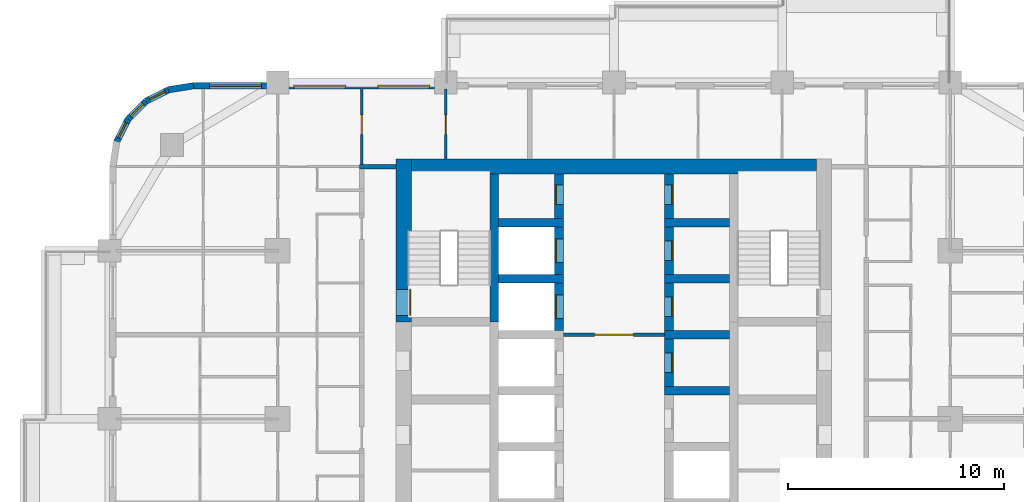
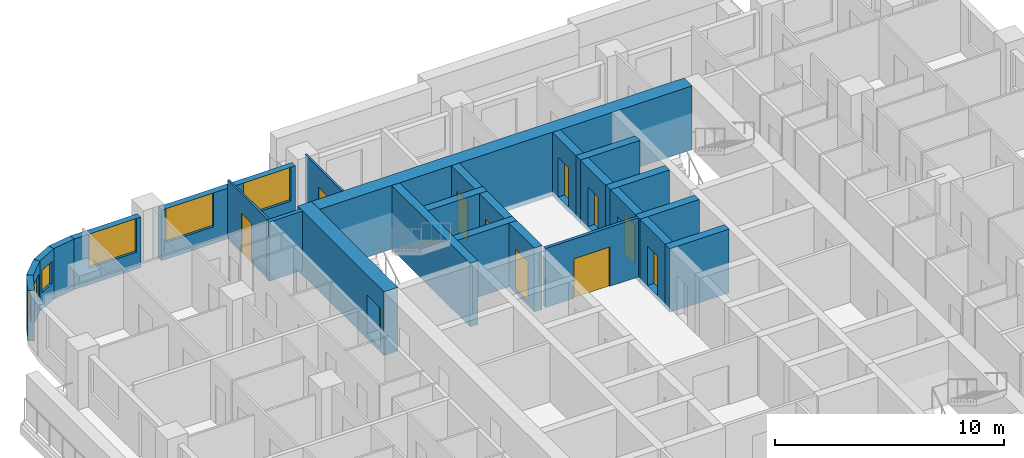
# One storey, part 11 of 17: 26 walls, 11 doors, 6 windows, 17 openings.
"""IFC4 building model written with IfcOpenShell, lengths in metres."""

from ifc_helpers import new_model, si_unit, direction, frame, frame_2d, origin, place, context, subcontext, project, spatial, rectangle, extrude, material, layer, layer_set, type_object, element, fill, save


model = new_model("IFC4")

# Units and contexts
model_context = context("Model", 3, precision=1e-05, world=origin(), true_north=direction((0.0, 1.0)))
body_context = subcontext(model_context, "Body", "Model", "MODEL_VIEW")
ifc_project = project(units=[si_unit("LENGTHUNIT", "METRE"), si_unit("AREAUNIT", "SQUARE_METRE"), si_unit("VOLUMEUNIT", "CUBIC_METRE"), si_unit("PLANEANGLEUNIT", "RADIAN"), si_unit("MASSUNIT", "GRAM", prefix="KILO")], contexts=[model_context])

# Site, building, storey
site_placement = place(None, origin())
site = spatial("IfcSite", under=ifc_project, at=site_placement, CompositionType="ELEMENT")
building_placement = place(site_placement, origin())
building = spatial("IfcBuilding", under=site, at=building_placement, Name="Ludao Terraces", CompositionType="ELEMENT")
storey_placement = place(building_placement, frame((0.0, 0.0, 39.89990234375)))
storey = spatial("IfcBuildingStorey", under=building, at=storey_placement, Name="L10", CompositionType="ELEMENT", Elevation=39.89990234375)

# Wall, opening, door
ifc_material_1 = material(Name="Concrete C70", Category="concrete")
ifc_layer_1 = layer(ifc_material_1, 0.699951171875)
ifc_layer_set_1 = layer_set([ifc_layer_1], Name="Core wall 700 C70")
wall_type_1 = type_object("IfcWallType", Name="Core wall 700 C70", PredefinedType="SOLIDWALL", material=ifc_layer_set_1)
wall_1_placement = place(storey_placement, frame((75.25, 77.300048828125, -0.25), z_axis=(0.0, 0.0, 1.0), x_axis=(0.0, 1.0, 0.0)))
wall_1 = element("IfcWall", 1, at=wall_1_placement, inside=storey, type_object=wall_type_1, Name="Core wall L10 outer-W-S1", PredefinedType="SOLIDWALL", context=body_context, shape_type="SweptSolid", body=[
    extrude(rectangle(XDim=7.550048828125, YDim=0.699951171875, at=frame_2d((3.77490234375, 0.0))), origin(), (0.0, 0.0, 1.0), 3.400146484375),
])
opening_1_placement = place(wall_1_placement, frame((0.300048828125, 0.0, 0.25)))
opening_1 = element("IfcOpeningElement", 2, at=opening_1_placement, cuts=wall_1, Name="Opening R03-133", PredefinedType="OPENING", context=body_context, shape_type="SweptSolid", body=[
    extrude(rectangle(XDim=1.199951171875, YDim=2.10009765625, at=frame_2d((0.60009765625, 1.050048828125))), frame((0.0, 0.35986328125, 0.0), z_axis=(0.0, -1.0, 0.0), x_axis=(1.0, 0.0, 0.0)), (0.0, 0.0, 1.0), 0.719970703125),
])
ifc_material_2 = material(Name="Steel Q235", Category="steel")
door_type_1 = type_object("IfcDoorType", Name="INT Stair door 1200", OperationType="DOUBLE_DOOR_SINGLE_SWING", PredefinedType="DOOR", material=ifc_material_2)
door_1_placement = place(opening_1_placement, origin())
door_1 = element("IfcDoor", 3, at=door_1_placement, inside=storey, type_object=door_type_1, Name="DOOR 133", OperationType="DOUBLE_DOOR_SINGLE_SWING", OverallHeight=2.10009765625, OverallWidth=1.199951171875, PredefinedType="DOOR", context=body_context, shape_type="SweptSolid", body=[
    extrude(rectangle(XDim=1.199951171875, YDim=2.10009765625, at=frame_2d((0.60009765625, 1.050048828125))), frame((0.0, -0.28515625, 0.0), z_axis=(0.0, -1.0, 0.0), x_axis=(1.0, 0.0, 0.0)), (0.0, 0.0, 1.0), 0.050048828125),
])
fill(opening_1, door_1)

# Wall
wall_2_placement = place(storey_placement, frame((75.60009765625, 84.5, -0.25), z_axis=(0.0, 0.0, 1.0), x_axis=(1.0, 0.0, 0.0)))
element("IfcWall", 4, at=wall_2_placement, inside=storey, type_object=wall_type_1, Name="Core wall L10 outer-N", PredefinedType="SOLIDWALL", context=body_context, shape_type="SweptSolid", body=[
    extrude(rectangle(XDim=18.7998046875, YDim=0.699951171875, at=frame_2d((9.39990234375, 0.0))), origin(), (0.0, 0.0, 1.0), 3.400146484375),
])

# Wall, opening, window
ifc_material_3 = material(Name="Granite cladding", Category="masonry")
ifc_layer_2 = layer(ifc_material_3, 0.0400390625, Category="stone")
ifc_material_4 = material(Name="Mineral wool")
ifc_layer_3 = layer(ifc_material_4, 0.06005859375)
ifc_material_5 = material(Name="Concrete C40", Category="concrete")
ifc_layer_4 = layer(ifc_material_5, 0.199951171875, Category="concrete")
ifc_layer_set_2 = layer_set([ifc_layer_2, ifc_layer_3, ifc_layer_4], Name="ENV Stone-clad wall 300")
wall_type_2 = type_object("IfcWallType", Name="ENV Stone-clad wall 300", PredefinedType="SOLIDWALL", material=ifc_layer_set_2)
wall_3_placement = place(storey_placement, frame((65.5, 88.25, 0.0), z_axis=(0.0, 0.0, 1.0), x_axis=(1.0, 0.0, 0.0)))
wall_3 = element("IfcWall", 5, at=wall_3_placement, inside=storey, type_object=wall_type_2, Name="EW-L10-N1", PredefinedType="SOLIDWALL", context=body_context, shape_type="SweptSolid", body=[
    extrude(rectangle(XDim=3.375, YDim=0.300048828125, at=frame_2d((1.6875, 0.0))), origin(), (0.0, 0.0, 1.0), 2.7001953125),
])
opening_2_placement = place(wall_3_placement, frame((0.75, 0.0, 0.89990234375)))
opening_2 = element("IfcOpeningElement", 6, at=opening_2_placement, cuts=wall_3, Name="Opening W1", PredefinedType="OPENING", context=body_context, shape_type="SweptSolid", body=[
    extrude(rectangle(XDim=2.39990234375, YDim=1.800048828125, at=frame_2d((1.199951171875, 0.89990234375))), frame((0.0, 0.16015625, 0.0), z_axis=(0.0, -1.0, 0.0), x_axis=(1.0, 0.0, 0.0)), (0.0, 0.0, 1.0), 0.320068359375),
])
ifc_material_6 = material(Name="Clear glass in aluminium frame", Category="aluminium")
ifc_layer_5 = layer(ifc_material_6, 0.06005859375)
ifc_layer_set_3 = layer_set([ifc_layer_5], Name="ENV Window W1 2400x1800")
window_type_1 = type_object("IfcWindowType", Name="ENV Window W1 2400x1800", PartitioningType="DOUBLE_PANEL_VERTICAL", PredefinedType="WINDOW", material=ifc_layer_set_3)
window_1_placement = place(opening_2_placement, origin())
window_1 = element("IfcWindow", 7, at=window_1_placement, inside=storey, type_object=window_type_1, Name="W-L10-N1-1", OverallHeight=1.800048828125, OverallWidth=2.39990234375, PartitioningType="DOUBLE_PANEL_VERTICAL", PredefinedType="WINDOW", context=body_context, shape_type="SweptSolid", body=[
    extrude(rectangle(XDim=2.39990234375, YDim=1.800048828125, at=frame_2d((1.199951171875, 0.89990234375))), frame((0.0, 0.030029296875, 0.0), z_axis=(0.0, -1.0, 0.0), x_axis=(1.0, 0.0, 0.0)), (0.0, 0.0, 1.0), 0.06005859375),
])
fill(opening_2, window_1)

# Wall, openings, windows
wall_4_placement = place(storey_placement, frame((69.925048828125, 88.25, 0.0), z_axis=(0.0, 0.0, 1.0), x_axis=(1.0, 0.0, 0.0)))
wall_4 = element("IfcWall", 8, at=wall_4_placement, inside=storey, type_object=wall_type_2, Name="EW-L10-N2", PredefinedType="SOLIDWALL", context=body_context, shape_type="SweptSolid", body=[
    extrude(rectangle(XDim=6.75, YDim=0.300048828125, at=frame_2d((3.375, 0.0))), origin(), (0.0, 0.0, 1.0), 2.7001953125),
])
opening_3_placement = place(wall_4_placement, frame((0.22509765625, 0.0, 0.89990234375)))
opening_3 = element("IfcOpeningElement", 9, at=opening_3_placement, cuts=wall_4, Name="Opening W1", PredefinedType="OPENING", context=body_context, shape_type="SweptSolid", body=[
    extrude(rectangle(XDim=2.39990234375, YDim=1.800048828125, at=frame_2d((1.199951171875, 0.89990234375))), frame((0.0, 0.16015625, 0.0), z_axis=(0.0, -1.0, 0.0), x_axis=(1.0, 0.0, 0.0)), (0.0, 0.0, 1.0), 0.320068359375),
])
opening_4_placement = place(wall_4_placement, frame((4.125, 0.0, 0.89990234375)))
opening_4 = element("IfcOpeningElement", 10, at=opening_4_placement, cuts=wall_4, Name="Opening W1", PredefinedType="OPENING", context=body_context, shape_type="SweptSolid", body=[
    extrude(rectangle(XDim=2.39990234375, YDim=1.800048828125, at=frame_2d((1.199951171875, 0.89990234375))), frame((0.0, 0.16015625, 0.0), z_axis=(0.0, -1.0, 0.0), x_axis=(1.0, 0.0, 0.0)), (0.0, 0.0, 1.0), 0.320068359375),
])
window_2_placement = place(opening_3_placement, origin())
window_2 = element("IfcWindow", 11, at=window_2_placement, inside=storey, type_object=window_type_1, Name="W-L10-N2-1", OverallHeight=1.800048828125, OverallWidth=2.39990234375, PartitioningType="DOUBLE_PANEL_VERTICAL", PredefinedType="WINDOW", context=body_context, shape_type="SweptSolid", body=[
    extrude(rectangle(XDim=2.39990234375, YDim=1.800048828125, at=frame_2d((1.199951171875, 0.89990234375))), frame((0.0, 0.030029296875, 0.0), z_axis=(0.0, -1.0, 0.0), x_axis=(1.0, 0.0, 0.0)), (0.0, 0.0, 1.0), 0.06005859375),
])
fill(opening_3, window_2)
window_3_placement = place(opening_4_placement, origin())
window_3 = element("IfcWindow", 12, at=window_3_placement, inside=storey, type_object=window_type_1, Name="W-L10-N2-2", OverallHeight=1.800048828125, OverallWidth=2.39990234375, PartitioningType="DOUBLE_PANEL_VERTICAL", PredefinedType="WINDOW", context=body_context, shape_type="SweptSolid", body=[
    extrude(rectangle(XDim=2.39990234375, YDim=1.800048828125, at=frame_2d((1.199951171875, 0.89990234375))), frame((0.0, 0.030029296875, 0.0), z_axis=(0.0, -1.0, 0.0), x_axis=(1.0, 0.0, 0.0)), (0.0, 0.0, 1.0), 0.06005859375),
])
fill(opening_4, window_3)

# Wall
wall_5_placement = place(storey_placement, frame((65.5, 88.25, 0.0), z_axis=(0.0, 0.0, 1.0), x_axis=(-0.987678452879, -0.156496880861, 0.0)))
element("IfcWall", 13, at=wall_5_placement, inside=storey, type_object=wall_type_2, Name="EW-L10-NW1", PredefinedType="SOLIDWALL", context=body_context, shape_type="SweptSolid", body=[
    extrude(rectangle(XDim=1.173095703125, YDim=0.300048828125, at=frame_2d((0.58642578125, 0.0))), origin(), (0.0, 0.0, 1.0), 2.7001953125),
])

# Wall, opening, window
wall_6_placement = place(storey_placement, frame((64.34130859375, 88.06640625, 0.0), z_axis=(0.0, 0.0, 1.0), x_axis=(-0.890988677504, -0.454025524128, 0.0)))
wall_6 = element("IfcWall", 14, at=wall_6_placement, inside=storey, type_object=wall_type_2, Name="EW-L10-NW2", PredefinedType="SOLIDWALL", context=body_context, shape_type="SweptSolid", body=[
    extrude(rectangle(XDim=1.17333984375, YDim=0.300048828125, at=frame_2d((0.586669921875, 0.0))), origin(), (0.0, 0.0, 1.0), 2.7001953125),
])
opening_5_placement = place(wall_6_placement, frame((0.1865234375, 0.0, 0.89990234375)))
opening_5 = element("IfcOpeningElement", 15, at=opening_5_placement, cuts=wall_6, Name="Opening W3", PredefinedType="OPENING", context=body_context, shape_type="SweptSolid", body=[
    extrude(rectangle(XDim=0.800048828125, YDim=1.199951171875, at=frame_2d((0.39990234375, 0.60009765625))), frame((0.0, 0.16015625, 0.0), z_axis=(0.0, -1.0, 0.0), x_axis=(1.0, 0.0, 0.0)), (0.0, 0.0, 1.0), 0.320068359375),
])
ifc_layer_6 = layer(ifc_material_6, 0.06005859375)
ifc_layer_set_4 = layer_set([ifc_layer_6], Name="ENV Window W3 800x1200")
window_type_2 = type_object("IfcWindowType", Name="ENV Window W3 800x1200", PartitioningType="SINGLE_PANEL", PredefinedType="WINDOW", material=ifc_layer_set_4)
window_4_placement = place(opening_5_placement, origin())
window_4 = element("IfcWindow", 16, at=window_4_placement, inside=storey, type_object=window_type_2, Name="W-L10-NW2", OverallHeight=1.199951171875, OverallWidth=0.800048828125, PartitioningType="SINGLE_PANEL", PredefinedType="WINDOW", context=body_context, shape_type="SweptSolid", body=[
    extrude(rectangle(XDim=0.800048828125, YDim=1.199951171875, at=frame_2d((0.39990234375, 0.60009765625))), frame((0.0, 0.030029296875, 0.0), z_axis=(0.0, -1.0, 0.0), x_axis=(1.0, 0.0, 0.0)), (0.0, 0.0, 1.0), 0.06005859375),
])
fill(opening_5, window_4)

wall_7_placement = place(storey_placement, frame((63.2958984375, 87.53369140625, 0.0), z_axis=(0.0, 0.0, 1.0), x_axis=(-0.707106781187, -0.707106781187, 0.0)))
wall_7 = element("IfcWall", 17, at=wall_7_placement, inside=storey, type_object=wall_type_2, Name="EW-L10-NW3", PredefinedType="SOLIDWALL", context=body_context, shape_type="SweptSolid", body=[
    extrude(rectangle(XDim=1.173095703125, YDim=0.300048828125, at=frame_2d((0.58642578125, 0.0))), origin(), (0.0, 0.0, 1.0), 2.7001953125),
])
opening_6_placement = place(wall_7_placement, frame((0.1865234375, 0.0, 0.89990234375)))
opening_6 = element("IfcOpeningElement", 18, at=opening_6_placement, cuts=wall_7, Name="Opening W3", PredefinedType="OPENING", context=body_context, shape_type="SweptSolid", body=[
    extrude(rectangle(XDim=0.800048828125, YDim=1.199951171875, at=frame_2d((0.39990234375, 0.60009765625))), frame((0.0, 0.16015625, 0.0), z_axis=(0.0, -1.0, 0.0), x_axis=(1.0, 0.0, 0.0)), (0.0, 0.0, 1.0), 0.320068359375),
])
window_5_placement = place(opening_6_placement, origin())
window_5 = element("IfcWindow", 19, at=window_5_placement, inside=storey, type_object=window_type_2, Name="W-L10-NW3", OverallHeight=1.199951171875, OverallWidth=0.800048828125, PartitioningType="SINGLE_PANEL", PredefinedType="WINDOW", context=body_context, shape_type="SweptSolid", body=[
    extrude(rectangle(XDim=0.800048828125, YDim=1.199951171875, at=frame_2d((0.39990234375, 0.60009765625))), frame((0.0, 0.030029296875, 0.0), z_axis=(0.0, -1.0, 0.0), x_axis=(1.0, 0.0, 0.0)), (0.0, 0.0, 1.0), 0.06005859375),
])
fill(opening_6, window_5)

wall_8_placement = place(storey_placement, frame((62.46630859375, 86.7041015625, 0.0), z_axis=(0.0, 0.0, 1.0), x_axis=(-0.454025524128, -0.890988677504, 0.0)))
wall_8 = element("IfcWall", 20, at=wall_8_placement, inside=storey, type_object=wall_type_2, Name="EW-L10-NW4", PredefinedType="SOLIDWALL", context=body_context, shape_type="SweptSolid", body=[
    extrude(rectangle(XDim=1.17333984375, YDim=0.300048828125, at=frame_2d((0.586669921875, 0.0))), origin(), (0.0, 0.0, 1.0), 2.7001953125),
])
opening_7_placement = place(wall_8_placement, frame((0.1865234375, 0.0, 0.89990234375)))
opening_7 = element("IfcOpeningElement", 21, at=opening_7_placement, cuts=wall_8, Name="Opening W3", PredefinedType="OPENING", context=body_context, shape_type="SweptSolid", body=[
    extrude(rectangle(XDim=0.800048828125, YDim=1.199951171875, at=frame_2d((0.39990234375, 0.60009765625))), frame((0.0, 0.16015625, 0.0), z_axis=(0.0, -1.0, 0.0), x_axis=(1.0, 0.0, 0.0)), (0.0, 0.0, 1.0), 0.320068359375),
])
window_6_placement = place(opening_7_placement, origin())
window_6 = element("IfcWindow", 22, at=window_6_placement, inside=storey, type_object=window_type_2, Name="W-L10-NW4", OverallHeight=1.199951171875, OverallWidth=0.800048828125, PartitioningType="SINGLE_PANEL", PredefinedType="WINDOW", context=body_context, shape_type="SweptSolid", body=[
    extrude(rectangle(XDim=0.800048828125, YDim=1.199951171875, at=frame_2d((0.39990234375, 0.60009765625))), frame((0.0, 0.030029296875, 0.0), z_axis=(0.0, -1.0, 0.0), x_axis=(1.0, 0.0, 0.0)), (0.0, 0.0, 1.0), 0.06005859375),
])
fill(opening_7, window_6)

# Wall, opening, door
ifc_material_7 = material(Name="Fire-rated gypsum plasterboard", Category="gypsum")
ifc_layer_7 = layer(ifc_material_7, 0.012451171875, Category="gypsum")
ifc_layer_8 = layer(ifc_material_4, 0.10009765625, Name="insulation")
ifc_layer_9 = layer(ifc_material_2, 0.02490234375, Name="stud")
ifc_layer_10 = layer(ifc_material_7, 0.012451171875, Category="gypsum")
ifc_layer_set_5 = layer_set([ifc_layer_7, ifc_layer_8, ifc_layer_9, ifc_layer_10], Name="INT Core partition 150")
wall_type_3 = type_object("IfcWallType", Name="INT Core partition 150", PredefinedType="PARTITIONING", material=ifc_layer_set_5)
wall_9_placement = place(storey_placement, frame((82.650146484375, 76.699951171875, 0.0), z_axis=(0.0, 0.0, 1.0), x_axis=(1.0, 0.0, 0.0)))
wall_9 = element("IfcWall", 23, at=wall_9_placement, inside=storey, type_object=wall_type_3, Name="PW-L10-PW063", PredefinedType="PARTITIONING", context=body_context, shape_type="SweptSolid", body=[
    extrude(rectangle(XDim=4.699951171875, YDim=0.14990234375, at=frame_2d((2.35009765625, 0.0))), origin(), (0.0, 0.0, 1.0), 3.150146484375),
])
opening_8_placement = place(wall_9_placement, frame((1.449951171875, 0.0, 0.0)))
opening_8 = element("IfcOpeningElement", 24, at=opening_8_placement, cuts=wall_9, Name="Opening R03-127", PredefinedType="OPENING", context=body_context, shape_type="SweptSolid", body=[
    extrude(rectangle(XDim=1.800048828125, YDim=2.10009765625, at=frame_2d((0.89990234375, 1.050048828125))), frame((0.0, 0.0849609375, 0.0), z_axis=(0.0, -1.0, 0.0), x_axis=(1.0, 0.0, 0.0)), (0.0, 0.0, 1.0), 0.169921875),
])
door_type_2 = type_object("IfcDoorType", Name="INT Fire lobby door 1800", OperationType="DOUBLE_DOOR_SINGLE_SWING", PredefinedType="DOOR", material=ifc_material_2)
door_2_placement = place(opening_8_placement, origin())
door_2 = element("IfcDoor", 25, at=door_2_placement, inside=storey, type_object=door_type_2, Name="DOOR 127", OperationType="DOUBLE_DOOR_SINGLE_SWING", OverallHeight=2.10009765625, OverallWidth=1.800048828125, PredefinedType="DOOR", context=body_context, shape_type="SweptSolid", body=[
    extrude(rectangle(XDim=1.800048828125, YDim=2.10009765625, at=frame_2d((0.89990234375, 1.050048828125))), frame((0.0, 0.02490234375, 0.0), z_axis=(0.0, -1.0, 0.0), x_axis=(1.0, 0.0, 0.0)), (0.0, 0.0, 1.0), 0.050048828125),
])
fill(opening_8, door_2)

# Wall
ifc_material_8 = material(Name="Autoclaved aerated concrete block B06 A3.5", Category="concrete")
ifc_layer_11 = layer(ifc_material_8, 0.199951171875)
ifc_layer_set_6 = layer_set([ifc_layer_11], Name="INT Entrance wall 200")
wall_type_4 = type_object("IfcWallType", Name="INT Entrance wall 200", PredefinedType="PARTITIONING", material=ifc_layer_set_6)
wall_10_placement = place(storey_placement, frame((73.2001953125, 84.5, 0.0), z_axis=(0.0, 0.0, 1.0), x_axis=(1.0, 0.0, 0.0)))
element("IfcWall", 26, at=wall_10_placement, inside=storey, type_object=wall_type_4, Name="PW-L10-PW076", PredefinedType="PARTITIONING", context=body_context, shape_type="SweptSolid", body=[
    extrude(rectangle(XDim=1.699951171875, YDim=0.199951171875, at=frame_2d((0.85009765625, 0.0))), origin(), (0.0, 0.0, 1.0), 3.150146484375),
])

# Wall, opening, door
ifc_material_9 = material(Name="Gypsum plasterboard", Category="gypsum")
ifc_layer_12 = layer(ifc_material_9, 0.012451171875, Category="gypsum")
ifc_layer_13 = layer(ifc_material_4, 0.06005859375, Name="insulation")
ifc_layer_14 = layer(ifc_material_2, 0.014892578125, Name="stud")
ifc_layer_15 = layer(ifc_material_9, 0.012451171875, Category="gypsum")
ifc_layer_set_7 = layer_set([ifc_layer_12, ifc_layer_13, ifc_layer_14, ifc_layer_15], Name="INT Partition 100")
wall_type_5 = type_object("IfcWallType", Name="INT Partition 100", PredefinedType="PARTITIONING", material=ifc_layer_set_7)
wall_11_placement = place(storey_placement, frame((73.300048828125, 84.60009765625, 0.0), z_axis=(0.0, 0.0, 1.0), x_axis=(0.0, 1.0, 0.0)))
wall_11 = element("IfcWall", 27, at=wall_11_placement, inside=storey, type_object=wall_type_5, Name="PW-L10-PW091", PredefinedType="PARTITIONING", context=body_context, shape_type="SweptSolid", body=[
    extrude(rectangle(XDim=3.5, YDim=0.10009765625, at=frame_2d((1.75, 0.0))), origin(), (0.0, 0.0, 1.0), 3.150146484375),
])
opening_9_placement = place(wall_11_placement, frame((1.39990234375, 0.0, 0.0)))
opening_9 = element("IfcOpeningElement", 28, at=opening_9_placement, cuts=wall_11, Name="Opening R03-157", PredefinedType="OPENING", context=body_context, shape_type="SweptSolid", body=[
    extrude(rectangle(XDim=0.89990234375, YDim=2.10009765625, at=frame_2d((0.449951171875, 1.050048828125))), frame((0.0, 0.06005859375, 0.0), z_axis=(0.0, -1.0, 0.0), x_axis=(1.0, 0.0, 0.0)), (0.0, 0.0, 1.0), 0.1201171875),
])
ifc_material_10 = material(Name="Timber door leaf", Category="wood")
door_type_3 = type_object("IfcDoorType", Name="INT Room door 900", OperationType="SINGLE_SWING_LEFT", PredefinedType="DOOR", material=ifc_material_10)
door_3_placement = place(opening_9_placement, origin())
door_3 = element("IfcDoor", 29, at=door_3_placement, inside=storey, type_object=door_type_3, Name="DOOR 157", OperationType="SINGLE_SWING_LEFT", OverallHeight=2.10009765625, OverallWidth=0.89990234375, PredefinedType="DOOR", context=body_context, shape_type="SweptSolid", body=[
    extrude(rectangle(XDim=0.89990234375, YDim=2.10009765625, at=frame_2d((0.449951171875, 1.050048828125))), frame((0.0, 0.02490234375, 0.0), z_axis=(0.0, -1.0, 0.0), x_axis=(1.0, 0.0, 0.0)), (0.0, 0.0, 1.0), 0.050048828125),
])
fill(opening_9, door_3)

wall_12_placement = place(storey_placement, frame((77.199951171875, 84.85009765625, 0.0), z_axis=(0.0, 0.0, 1.0), x_axis=(0.0, 1.0, 0.0)))
wall_12 = element("IfcWall", 30, at=wall_12_placement, inside=storey, type_object=wall_type_5, Name="PW-L10-PW095", PredefinedType="PARTITIONING", context=body_context, shape_type="SweptSolid", body=[
    extrude(rectangle(XDim=3.25, YDim=0.10009765625, at=frame_2d((1.625, 0.0))), origin(), (0.0, 0.0, 1.0), 3.150146484375),
])
opening_10_placement = place(wall_12_placement, frame((1.14990234375, 0.0, 0.0)))
opening_10 = element("IfcOpeningElement", 31, at=opening_10_placement, cuts=wall_12, Name="Opening R03-158", PredefinedType="OPENING", context=body_context, shape_type="SweptSolid", body=[
    extrude(rectangle(XDim=0.89990234375, YDim=2.10009765625, at=frame_2d((0.449951171875, 1.050048828125))), frame((0.0, 0.06005859375, 0.0), z_axis=(0.0, -1.0, 0.0), x_axis=(1.0, 0.0, 0.0)), (0.0, 0.0, 1.0), 0.1201171875),
])
door_4_placement = place(opening_10_placement, origin())
door_4 = element("IfcDoor", 32, at=door_4_placement, inside=storey, type_object=door_type_3, Name="DOOR 158", OperationType="SINGLE_SWING_RIGHT", OverallHeight=2.10009765625, OverallWidth=0.89990234375, PredefinedType="DOOR", context=body_context, shape_type="SweptSolid", body=[
    extrude(rectangle(XDim=0.89990234375, YDim=2.10009765625, at=frame_2d((0.449951171875, 1.050048828125))), frame((0.0, 0.02490234375, 0.0), z_axis=(0.0, -1.0, 0.0), x_axis=(1.0, 0.0, 0.0)), (0.0, 0.0, 1.0), 0.050048828125),
])
fill(opening_10, door_4)

# Wall
ifc_material_11 = material(Name="Concrete C60", Category="concrete")
ifc_layer_16 = layer(ifc_material_11, 0.39990234375)
ifc_layer_set_8 = layer_set([ifc_layer_16], Name="Shaft wall 400 C60")
wall_type_6 = type_object("IfcWallType", Name="Shaft wall 400 C60", PredefinedType="SOLIDWALL", material=ifc_layer_set_8)
wall_13_placement = place(storey_placement, frame((79.449951171875, 77.300048828125, -0.25), z_axis=(0.0, 0.0, 1.0), x_axis=(0.0, 1.0, 0.0)))
element("IfcWall", 33, at=wall_13_placement, inside=storey, type_object=wall_type_6, Name="Core wall L10 back-W-S1", PredefinedType="SOLIDWALL", context=body_context, shape_type="SweptSolid", body=[
    extrude(rectangle(XDim=6.849853515625, YDim=0.39990234375, at=frame_2d((3.4248046875, 0.0))), origin(), (0.0, 0.0, 1.0), 3.400146484375),
])

# Wall, opening, door
wall_14_placement = place(storey_placement, frame((82.449951171875, 76.89990234375, -0.25), z_axis=(0.0, 0.0, 1.0), x_axis=(0.0, 1.0, 0.0)))
wall_14 = element("IfcWall", 34, at=wall_14_placement, inside=storey, type_object=wall_type_6, Name="Core wall L10 front-W7", PredefinedType="SOLIDWALL", context=body_context, shape_type="SweptSolid", body=[
    extrude(rectangle(XDim=2.2001953125, YDim=0.39990234375, at=frame_2d((1.10009765625, 0.0))), origin(), (0.0, 0.0, 1.0), 3.400146484375),
])
opening_11_placement = place(wall_14_placement, frame((0.550048828125, 0.0, 0.25)))
opening_11 = element("IfcOpeningElement", 35, at=opening_11_placement, cuts=wall_14, Name="Opening LD-FF1", PredefinedType="OPENING", context=body_context, shape_type="SweptSolid", body=[
    extrude(rectangle(XDim=1.10009765625, YDim=2.10009765625, at=frame_2d((0.550048828125, 1.050048828125))), frame((0.0, 0.2099609375, 0.0), z_axis=(0.0, -1.0, 0.0), x_axis=(1.0, 0.0, 0.0)), (0.0, 0.0, 1.0), 0.419921875),
])
ifc_material_12 = material(Name="Stainless steel 304", Category="steel")
door_type_4 = type_object("IfcDoorType", Name="INT Lift landing door 1100", OperationType="SLIDING_TO_LEFT", PredefinedType="DOOR", material=ifc_material_12)
door_5_placement = place(opening_11_placement, origin())
door_5 = element("IfcDoor", 36, at=door_5_placement, inside=storey, type_object=door_type_4, Name="LANDING DOOR FF1 L10", OperationType="SLIDING_TO_LEFT", OverallHeight=2.10009765625, OverallWidth=1.10009765625, PredefinedType="DOOR", context=body_context, shape_type="SweptSolid", body=[
    extrude(rectangle(XDim=1.10009765625, YDim=2.10009765625, at=frame_2d((0.550048828125, 1.050048828125))), frame((0.0, 0.18505859375, 0.0), z_axis=(0.0, -1.0, 0.0), x_axis=(1.0, 0.0, 0.0)), (0.0, 0.0, 1.0), 0.050048828125),
])
fill(opening_11, door_5)

# Wall
wall_15_placement = place(storey_placement, frame((79.64990234375, 79.300048828125, -0.25), z_axis=(0.0, 0.0, 1.0), x_axis=(1.0, 0.0, 0.0)))
element("IfcWall", 37, at=wall_15_placement, inside=storey, type_object=wall_type_6, Name="Core wall L10 div-W8", PredefinedType="SOLIDWALL", context=body_context, shape_type="SweptSolid", body=[
    extrude(rectangle(XDim=3.0, YDim=0.39990234375, at=frame_2d((1.5, 0.0))), origin(), (0.0, 0.0, 1.0), 3.400146484375),
])

# Wall, opening, door
wall_16_placement = place(storey_placement, frame((82.449951171875, 79.5, -0.25), z_axis=(0.0, 0.0, 1.0), x_axis=(0.0, 1.0, 0.0)))
wall_16 = element("IfcWall", 38, at=wall_16_placement, inside=storey, type_object=wall_type_6, Name="Core wall L10 front-W8", PredefinedType="SOLIDWALL", context=body_context, shape_type="SweptSolid", body=[
    extrude(rectangle(XDim=2.199951171875, YDim=0.39990234375, at=frame_2d((1.10009765625, 0.0))), origin(), (0.0, 0.0, 1.0), 3.400146484375),
])
opening_12_placement = place(wall_16_placement, frame((0.550048828125, 0.0, 0.25)))
opening_12 = element("IfcOpeningElement", 39, at=opening_12_placement, cuts=wall_16, Name="Opening LD-FF2", PredefinedType="OPENING", context=body_context, shape_type="SweptSolid", body=[
    extrude(rectangle(XDim=1.10009765625, YDim=2.10009765625, at=frame_2d((0.550048828125, 1.050048828125))), frame((0.0, 0.2099609375, 0.0), z_axis=(0.0, -1.0, 0.0), x_axis=(1.0, 0.0, 0.0)), (0.0, 0.0, 1.0), 0.419921875),
])
door_6_placement = place(opening_12_placement, origin())
door_6 = element("IfcDoor", 40, at=door_6_placement, inside=storey, type_object=door_type_4, Name="LANDING DOOR FF2 L10", OperationType="SLIDING_TO_LEFT", OverallHeight=2.10009765625, OverallWidth=1.10009765625, PredefinedType="DOOR", context=body_context, shape_type="SweptSolid", body=[
    extrude(rectangle(XDim=1.10009765625, YDim=2.10009765625, at=frame_2d((0.550048828125, 1.050048828125))), frame((0.0, 0.18505859375, 0.0), z_axis=(0.0, -1.0, 0.0), x_axis=(1.0, 0.0, 0.0)), (0.0, 0.0, 1.0), 0.050048828125),
])
fill(opening_12, door_6)

# Wall
wall_17_placement = place(storey_placement, frame((79.64990234375, 81.89990234375, -0.25), z_axis=(0.0, 0.0, 1.0), x_axis=(1.0, 0.0, 0.0)))
element("IfcWall", 41, at=wall_17_placement, inside=storey, type_object=wall_type_6, Name="Core wall L10 div-W9", PredefinedType="SOLIDWALL", context=body_context, shape_type="SweptSolid", body=[
    extrude(rectangle(XDim=3.0, YDim=0.39990234375, at=frame_2d((1.5, 0.0))), origin(), (0.0, 0.0, 1.0), 3.400146484375),
])

# Wall, opening, door
wall_18_placement = place(storey_placement, frame((82.449951171875, 82.10009765625, -0.25), z_axis=(0.0, 0.0, 1.0), x_axis=(0.0, 1.0, 0.0)))
wall_18 = element("IfcWall", 42, at=wall_18_placement, inside=storey, type_object=wall_type_6, Name="Core wall L10 front-W9", PredefinedType="SOLIDWALL", context=body_context, shape_type="SweptSolid", body=[
    extrude(rectangle(XDim=2.0498046875, YDim=0.39990234375, at=frame_2d((1.02490234375, 0.0))), origin(), (0.0, 0.0, 1.0), 3.400146484375),
])
opening_13_placement = place(wall_18_placement, frame((0.64990234375, 0.0, 0.25)))
opening_13 = element("IfcOpeningElement", 43, at=opening_13_placement, cuts=wall_18, Name="Opening R03-149", PredefinedType="OPENING", context=body_context, shape_type="SweptSolid", body=[
    extrude(rectangle(XDim=0.89990234375, YDim=2.10009765625, at=frame_2d((0.449951171875, 1.050048828125))), frame((0.0, 0.2099609375, 0.0), z_axis=(0.0, -1.0, 0.0), x_axis=(1.0, 0.0, 0.0)), (0.0, 0.0, 1.0), 0.419921875),
])
door_7_placement = place(opening_13_placement, origin())
door_7 = element("IfcDoor", 44, at=door_7_placement, inside=storey, type_object=door_type_3, Name="DOOR 149", OperationType="SINGLE_SWING_RIGHT", OverallHeight=2.10009765625, OverallWidth=0.89990234375, PredefinedType="DOOR", context=body_context, shape_type="SweptSolid", body=[
    extrude(rectangle(XDim=0.89990234375, YDim=2.10009765625, at=frame_2d((0.449951171875, 1.050048828125))), frame((0.0, 0.18505859375, 0.0), z_axis=(0.0, -1.0, 0.0), x_axis=(1.0, 0.0, 0.0)), (0.0, 0.0, 1.0), 0.050048828125),
])
fill(opening_13, door_7)

# Wall
wall_19_placement = place(storey_placement, frame((87.35009765625, 74.10009765625, -0.25), z_axis=(0.0, 0.0, 1.0), x_axis=(1.0, 0.0, 0.0)))
element("IfcWall", 45, at=wall_19_placement, inside=storey, type_object=wall_type_6, Name="Core wall L10 div-E6", PredefinedType="SOLIDWALL", context=body_context, shape_type="SweptSolid", body=[
    extrude(rectangle(XDim=3.0, YDim=0.39990234375, at=frame_2d((1.5, 0.0))), origin(), (0.0, 0.0, 1.0), 3.400146484375),
])

# Wall, opening, door
wall_20_placement = place(storey_placement, frame((87.550048828125, 74.300048828125, -0.25), z_axis=(0.0, 0.0, 1.0), x_axis=(0.0, 1.0, 0.0)))
wall_20 = element("IfcWall", 46, at=wall_20_placement, inside=storey, type_object=wall_type_6, Name="Core wall L10 front-E6", PredefinedType="SOLIDWALL", context=body_context, shape_type="SweptSolid", body=[
    extrude(rectangle(XDim=2.199951171875, YDim=0.39990234375, at=frame_2d((1.10009765625, 0.0))), origin(), (0.0, 0.0, 1.0), 3.400146484375),
])
opening_14_placement = place(wall_20_placement, frame((0.64990234375, 0.0, 0.25)))
opening_14 = element("IfcOpeningElement", 47, at=opening_14_placement, cuts=wall_20, Name="Opening R03-118", PredefinedType="OPENING", context=body_context, shape_type="SweptSolid", body=[
    extrude(rectangle(XDim=0.89990234375, YDim=2.10009765625, at=frame_2d((0.449951171875, 1.050048828125))), frame((0.0, 0.2099609375, 0.0), z_axis=(0.0, -1.0, 0.0), x_axis=(1.0, 0.0, 0.0)), (0.0, 0.0, 1.0), 0.419921875),
])
door_8_placement = place(opening_14_placement, origin())
door_8 = element("IfcDoor", 48, at=door_8_placement, inside=storey, type_object=door_type_3, Name="DOOR 118", OperationType="SINGLE_SWING_RIGHT", OverallHeight=2.10009765625, OverallWidth=0.89990234375, PredefinedType="DOOR", context=body_context, shape_type="SweptSolid", body=[
    extrude(rectangle(XDim=0.89990234375, YDim=2.10009765625, at=frame_2d((0.449951171875, 1.050048828125))), frame((0.0, -0.134765625, 0.0), z_axis=(0.0, -1.0, 0.0), x_axis=(1.0, 0.0, 0.0)), (0.0, 0.0, 1.0), 0.050048828125),
])
fill(opening_14, door_8)

# Wall
wall_21_placement = place(storey_placement, frame((87.35009765625, 76.699951171875, -0.25), z_axis=(0.0, 0.0, 1.0), x_axis=(1.0, 0.0, 0.0)))
element("IfcWall", 49, at=wall_21_placement, inside=storey, type_object=wall_type_6, Name="Core wall L10 div-E7", PredefinedType="SOLIDWALL", context=body_context, shape_type="SweptSolid", body=[
    extrude(rectangle(XDim=3.0, YDim=0.39990234375, at=frame_2d((1.5, 0.0))), origin(), (0.0, 0.0, 1.0), 3.400146484375),
])

# Wall, opening, door
wall_22_placement = place(storey_placement, frame((87.550048828125, 76.89990234375, -0.25), z_axis=(0.0, 0.0, 1.0), x_axis=(0.0, 1.0, 0.0)))
wall_22 = element("IfcWall", 50, at=wall_22_placement, inside=storey, type_object=wall_type_6, Name="Core wall L10 front-E7", PredefinedType="SOLIDWALL", context=body_context, shape_type="SweptSolid", body=[
    extrude(rectangle(XDim=2.2001953125, YDim=0.39990234375, at=frame_2d((1.10009765625, 0.0))), origin(), (0.0, 0.0, 1.0), 3.400146484375),
])
opening_15_placement = place(wall_22_placement, frame((0.64990234375, 0.0, 0.25)))
opening_15 = element("IfcOpeningElement", 51, at=opening_15_placement, cuts=wall_22, Name="Opening R03-132", PredefinedType="OPENING", context=body_context, shape_type="SweptSolid", body=[
    extrude(rectangle(XDim=0.89990234375, YDim=2.10009765625, at=frame_2d((0.449951171875, 1.050048828125))), frame((0.0, 0.2099609375, 0.0), z_axis=(0.0, -1.0, 0.0), x_axis=(1.0, 0.0, 0.0)), (0.0, 0.0, 1.0), 0.419921875),
])
door_9_placement = place(opening_15_placement, origin())
door_9 = element("IfcDoor", 52, at=door_9_placement, inside=storey, type_object=door_type_3, Name="DOOR 132", OperationType="SINGLE_SWING_RIGHT", OverallHeight=2.10009765625, OverallWidth=0.89990234375, PredefinedType="DOOR", context=body_context, shape_type="SweptSolid", body=[
    extrude(rectangle(XDim=0.89990234375, YDim=2.10009765625, at=frame_2d((0.449951171875, 1.050048828125))), frame((0.0, -0.134765625, 0.0), z_axis=(0.0, -1.0, 0.0), x_axis=(1.0, 0.0, 0.0)), (0.0, 0.0, 1.0), 0.050048828125),
])
fill(opening_15, door_9)

# Wall
wall_23_placement = place(storey_placement, frame((87.35009765625, 79.300048828125, -0.25), z_axis=(0.0, 0.0, 1.0), x_axis=(1.0, 0.0, 0.0)))
element("IfcWall", 53, at=wall_23_placement, inside=storey, type_object=wall_type_6, Name="Core wall L10 div-E8", PredefinedType="SOLIDWALL", context=body_context, shape_type="SweptSolid", body=[
    extrude(rectangle(XDim=3.0, YDim=0.39990234375, at=frame_2d((1.5, 0.0))), origin(), (0.0, 0.0, 1.0), 3.400146484375),
])

# Wall, opening, door
wall_24_placement = place(storey_placement, frame((87.550048828125, 79.5, -0.25), z_axis=(0.0, 0.0, 1.0), x_axis=(0.0, 1.0, 0.0)))
wall_24 = element("IfcWall", 54, at=wall_24_placement, inside=storey, type_object=wall_type_6, Name="Core wall L10 front-E8", PredefinedType="SOLIDWALL", context=body_context, shape_type="SweptSolid", body=[
    extrude(rectangle(XDim=2.199951171875, YDim=0.39990234375, at=frame_2d((1.10009765625, 0.0))), origin(), (0.0, 0.0, 1.0), 3.400146484375),
])
opening_16_placement = place(wall_24_placement, frame((0.64990234375, 0.0, 0.25)))
opening_16 = element("IfcOpeningElement", 55, at=opening_16_placement, cuts=wall_24, Name="Opening R03-140", PredefinedType="OPENING", context=body_context, shape_type="SweptSolid", body=[
    extrude(rectangle(XDim=0.89990234375, YDim=2.10009765625, at=frame_2d((0.449951171875, 1.050048828125))), frame((0.0, 0.2099609375, 0.0), z_axis=(0.0, -1.0, 0.0), x_axis=(1.0, 0.0, 0.0)), (0.0, 0.0, 1.0), 0.419921875),
])
door_10_placement = place(opening_16_placement, origin())
door_10 = element("IfcDoor", 56, at=door_10_placement, inside=storey, type_object=door_type_3, Name="DOOR 140", OperationType="SINGLE_SWING_LEFT", OverallHeight=2.10009765625, OverallWidth=0.89990234375, PredefinedType="DOOR", context=body_context, shape_type="SweptSolid", body=[
    extrude(rectangle(XDim=0.89990234375, YDim=2.10009765625, at=frame_2d((0.449951171875, 1.050048828125))), frame((0.0, -0.134765625, 0.0), z_axis=(0.0, -1.0, 0.0), x_axis=(1.0, 0.0, 0.0)), (0.0, 0.0, 1.0), 0.050048828125),
])
fill(opening_16, door_10)

# Wall
wall_25_placement = place(storey_placement, frame((87.35009765625, 81.89990234375, -0.25), z_axis=(0.0, 0.0, 1.0), x_axis=(1.0, 0.0, 0.0)))
element("IfcWall", 57, at=wall_25_placement, inside=storey, type_object=wall_type_6, Name="Core wall L10 div-E9", PredefinedType="SOLIDWALL", context=body_context, shape_type="SweptSolid", body=[
    extrude(rectangle(XDim=3.0, YDim=0.39990234375, at=frame_2d((1.5, 0.0))), origin(), (0.0, 0.0, 1.0), 3.400146484375),
])

# Wall, opening, door
wall_26_placement = place(storey_placement, frame((87.550048828125, 82.10009765625, -0.25), z_axis=(0.0, 0.0, 1.0), x_axis=(0.0, 1.0, 0.0)))
wall_26 = element("IfcWall", 58, at=wall_26_placement, inside=storey, type_object=wall_type_6, Name="Core wall L10 front-E9", PredefinedType="SOLIDWALL", context=body_context, shape_type="SweptSolid", body=[
    extrude(rectangle(XDim=2.0498046875, YDim=0.39990234375, at=frame_2d((1.02490234375, 0.0))), origin(), (0.0, 0.0, 1.0), 3.400146484375),
])
opening_17_placement = place(wall_26_placement, frame((0.64990234375, 0.0, 0.25)))
opening_17 = element("IfcOpeningElement", 59, at=opening_17_placement, cuts=wall_26, Name="Opening R03-150", PredefinedType="OPENING", context=body_context, shape_type="SweptSolid", body=[
    extrude(rectangle(XDim=0.89990234375, YDim=2.10009765625, at=frame_2d((0.449951171875, 1.050048828125))), frame((0.0, 0.2099609375, 0.0), z_axis=(0.0, -1.0, 0.0), x_axis=(1.0, 0.0, 0.0)), (0.0, 0.0, 1.0), 0.419921875),
])
door_11_placement = place(opening_17_placement, origin())
door_11 = element("IfcDoor", 60, at=door_11_placement, inside=storey, type_object=door_type_3, Name="DOOR 150", OperationType="SINGLE_SWING_LEFT", OverallHeight=2.10009765625, OverallWidth=0.89990234375, PredefinedType="DOOR", context=body_context, shape_type="SweptSolid", body=[
    extrude(rectangle(XDim=0.89990234375, YDim=2.10009765625, at=frame_2d((0.449951171875, 1.050048828125))), frame((0.0, -0.134765625, 0.0), z_axis=(0.0, -1.0, 0.0), x_axis=(1.0, 0.0, 0.0)), (0.0, 0.0, 1.0), 0.050048828125),
])
fill(opening_17, door_11)

save(model, "model.ifc")
